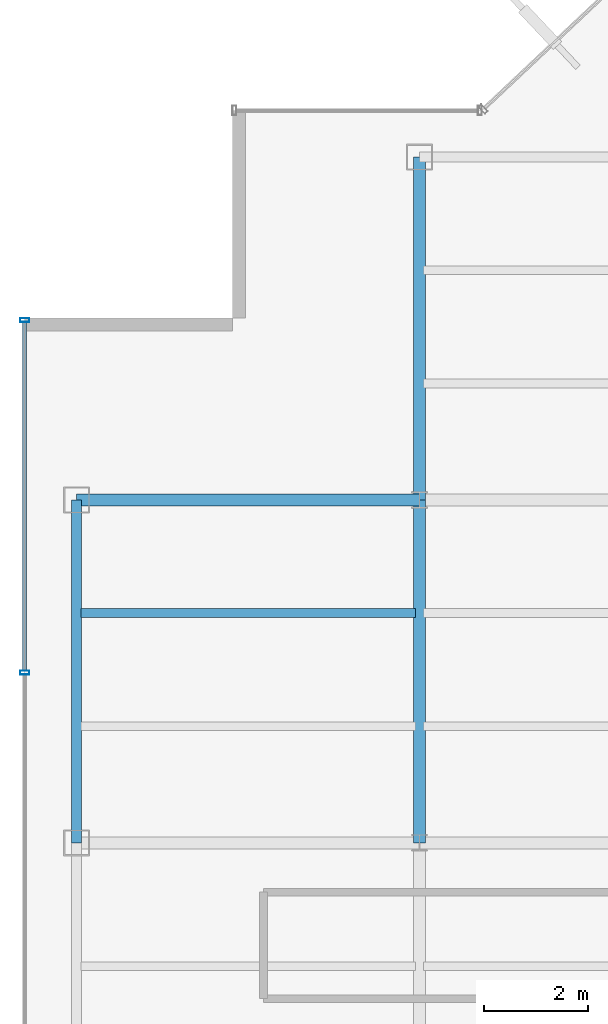
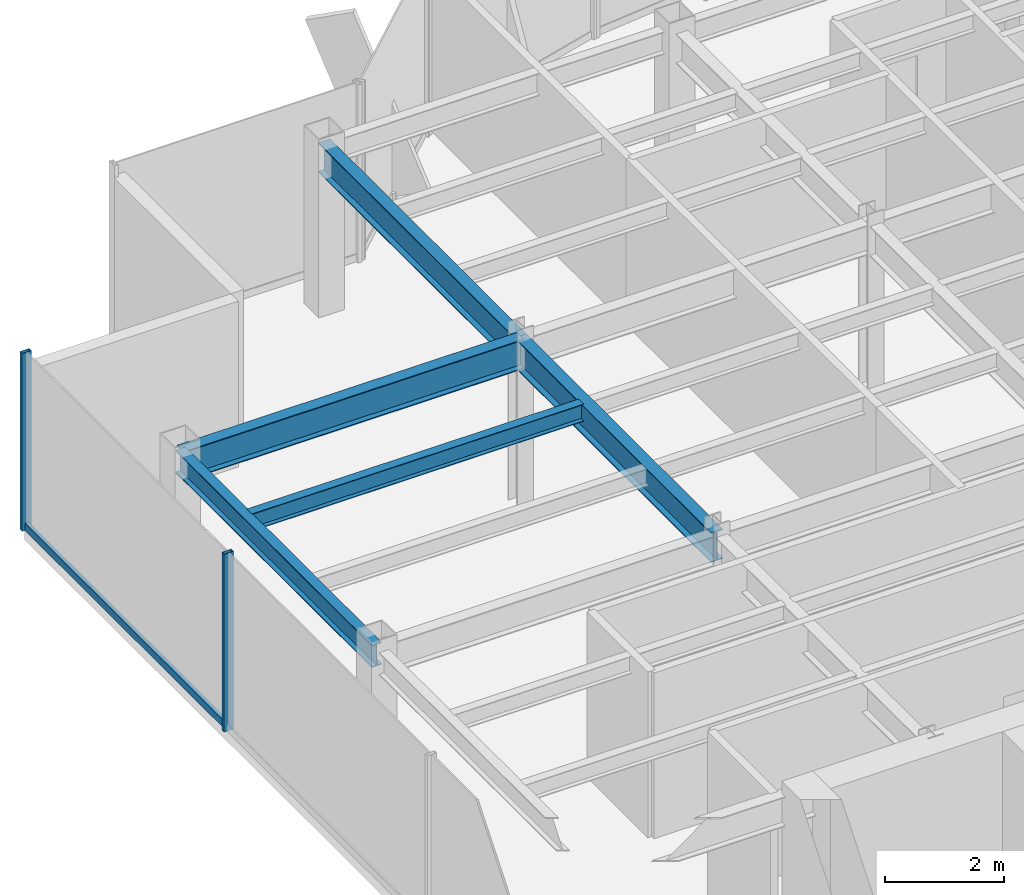
# One storey, part 7 of 22: 5 beams, 3 members, 1 element without a shape of its own.
"""IFC4 building model written with IfcOpenShell, lengths in metres."""

from ifc_helpers import new_model, si_unit, derived_unit, direction, frame, origin, origin_2d, place, context, subcontext, project, spatial, hollow_rectangle, i_section, extrude, source, transform, mapped, material, material_profile, profile_set, type_object, element, aggregate, save


model = new_model("IFC4")

# Units and contexts
model_context = context("Model", 3, precision=1e-05, world=origin(), true_north=direction((0.0, 1.0)))
body_context = subcontext(model_context, "Body", "Model", "MODEL_VIEW")
ifc_project = project(units=[si_unit("LENGTHUNIT", "METRE"), si_unit("AREAUNIT", "SQUARE_METRE"), si_unit("VOLUMEUNIT", "CUBIC_METRE"), si_unit("PLANEANGLEUNIT", "RADIAN"), si_unit("MASSUNIT", "GRAM", prefix="KILO"), derived_unit("THERMALTRANSMITTANCEUNIT", [(si_unit("POWERUNIT", "WATT"), 1), (si_unit("LENGTHUNIT", "METRE"), -2), (si_unit("THERMODYNAMICTEMPERATUREUNIT", "KELVIN"), -1)])], contexts=[model_context])

# Site, building, storey
site_placement = place(None, origin())
site = spatial("IfcSite", under=ifc_project, at=site_placement, CompositionType="ELEMENT")
building_placement = place(site_placement, origin())
building = spatial("IfcBuilding", under=site, at=building_placement, Name="Skarnbrae Concourse Arena and Tower", CompositionType="ELEMENT")
storey_placement = place(building_placement, frame((0.0, 0.0, 228.75)))
storey = spatial("IfcBuildingStorey", under=building, at=storey_placement, Name="L59", CompositionType="ELEMENT", Elevation=228.75)

# Beams
ifc_material_1 = material(Name="Steel CSA G40.21 350W", Category="steel")
ifc_material_profile_1 = material_profile(ifc_material_1, i_section(OverallWidth=0.22802734375, OverallDepth=0.60791015625, WebThickness=0.01123046875, FlangeThickness=0.017333984375, at=origin_2d()), Name="W610X113")
ifc_profile_set_1 = profile_set([ifc_material_profile_1], Name="Steel CSA G40.21 350W")
beam_type_1 = type_object("IfcBeamType", Name="BM-GIRD-W610X113", PredefinedType="BEAM", material=ifc_profile_set_1)
shared_shape_1 = source(origin(), body_context, "Body", "SweptSolid", [
    extrude(i_section(OverallWidth=0.22802734375, OverallDepth=0.60791015625, WebThickness=0.01123046875, FlangeThickness=0.017333984375, at=origin_2d()), origin(), (0.0, 0.0, 1.0), 6.60009765625),
])
for number, where, z_axis, x_axis, name in (
    (1, (1.0, 27.800048828125, 3.095947265625), (1.0, 0.0, 0.0), (0.0, 1.0, 0.0), "L59 Primary E-W girder Y27.8-1"),
    (2, (7.60009765625, 21.199951171875, 3.095947265625), (0.0, 1.0, 0.0), (-1.0, 0.0, 0.0), "L59 Primary N-S girder X7.6-2"),
):
    element("IfcBeam", number, at=place(storey_placement, frame(where, z_axis=z_axis, x_axis=x_axis)), inside=storey, type_object=beam_type_1, Name=name, PredefinedType="BEAM", context=body_context, shape_type="MappedRepresentation", body=[
        mapped(shared_shape_1, transform((0.0, 0.0, 0.0))),
    ])
ifc_material_profile_2 = material_profile(ifc_material_1, i_section(OverallWidth=0.19091796875, OverallDepth=0.4599609375, WebThickness=0.010009765625, FlangeThickness=0.01611328125, at=origin_2d()), Name="W460X82")
ifc_profile_set_2 = profile_set([ifc_material_profile_2], Name="Steel CSA G40.21 350W")
beam_type_2 = type_object("IfcBeamType", Name="BM-SPAN-W460X82", PredefinedType="SPANDREL", material=ifc_profile_set_2)
shared_shape_2 = source(origin(), body_context, "Body", "SweptSolid", [
    extrude(i_section(OverallWidth=0.19091796875, OverallDepth=0.4599609375, WebThickness=0.010009765625, FlangeThickness=0.01611328125, at=origin_2d()), origin(), (0.0, 0.0, 1.0), 6.60009765625),
])
beam_1_placement = place(storey_placement, frame((1.0, 21.199951171875, 3.169921875), z_axis=(0.0, 1.0, 0.0), x_axis=(-1.0, 0.0, 0.0)))
element("IfcBeam", 3, at=beam_1_placement, inside=storey, type_object=beam_type_2, Name="L59 Perimeter spandrel X1.0-3", PredefinedType="SPANDREL", context=body_context, shape_type="MappedRepresentation", body=[
    mapped(shared_shape_2, transform((0.0, 0.0, 0.0))),
])
shared_shape_3 = source(origin(), body_context, "Body", "SweptSolid", [
    extrude(i_section(OverallWidth=0.22802734375, OverallDepth=0.60791015625, WebThickness=0.01123046875, FlangeThickness=0.017333984375, at=origin_2d()), origin(), (0.0, 0.0, 1.0), 6.599853515625),
])
beam_2_placement = place(storey_placement, frame((7.60009765625, 27.800048828125, 3.095947265625), z_axis=(0.0, 1.0, 0.0), x_axis=(-1.0, 0.0, 0.0)))
element("IfcBeam", 4, at=beam_2_placement, inside=storey, type_object=beam_type_1, Name="L59 Primary N-S girder X7.6-3", PredefinedType="BEAM", context=body_context, shape_type="MappedRepresentation", body=[
    mapped(shared_shape_3, transform((0.0, 0.0, 0.0))),
])
ifc_material_profile_3 = material_profile(ifc_material_1, i_section(OverallWidth=0.1708984375, OverallDepth=0.35498046875, WebThickness=0.007080078125, FlangeThickness=0.01171875, at=origin_2d()), Name="W360X51")
ifc_profile_set_3 = profile_set([ifc_material_profile_3], Name="Steel CSA G40.21 350W")
beam_type_3 = type_object("IfcBeamType", Name="BM-JOIST-W360X51", PredefinedType="JOIST", material=ifc_profile_set_3)
shared_shape_4 = source(origin(), body_context, "Body", "SweptSolid", [
    extrude(i_section(OverallWidth=0.1708984375, OverallDepth=0.35498046875, WebThickness=0.007080078125, FlangeThickness=0.01171875, at=origin_2d()), origin(), (0.0, 0.0, 1.0), 6.43994140625),
])
beam_3_placement = place(storey_placement, frame((1.080078125, 25.6220703125, 3.222412109375), z_axis=(1.0, 0.0, 0.0), x_axis=(0.0, 1.0, 0.0)))
element("IfcBeam", 5, at=beam_3_placement, inside=storey, type_object=beam_type_3, Name="L59 Secondary floor joist 2.2.1", PredefinedType="JOIST", context=body_context, shape_type="MappedRepresentation", body=[
    mapped(shared_shape_4, transform((0.0, 0.0, 0.0))),
])

# Curtain wall, members
ifc_material_2 = material(Name="Bronze anodised aluminium 6063-T6", Category="aluminium")
curtain_wall_type = type_object("IfcCurtainWallType", Name="CW-SYS-05-HIGHZONE", PredefinedType="USERDEFINED", material=ifc_material_2)
curtain_wall_placement = place(storey_placement, origin())
curtain_wall = element("IfcCurtainWall", 6, at=curtain_wall_placement, inside=storey, type_object=curtain_wall_type, Name="L59 Unitised curtain wall CW-L59-E18", ObjectType="UNITISED CURTAIN WALL", PredefinedType="USERDEFINED")
ifc_material_profile_4 = material_profile(ifc_material_2, hollow_rectangle(XDim=0.074951171875, YDim=0.179931640625, WallThickness=0.00390625, at=origin_2d()), Name="ALU-MULL-75X180")
ifc_profile_set_4 = profile_set([ifc_material_profile_4], Name="Bronze anodised aluminium 6063-T6")
member_type_1 = type_object("IfcMemberType", Name="CWM-CW-05", PredefinedType="MULLION", material=ifc_profile_set_4)
shared_shape_5 = source(origin(), body_context, "Body", "SweptSolid", [
    extrude(hollow_rectangle(XDim=0.074951171875, YDim=0.179931640625, WallThickness=0.00390625, at=origin_2d()), origin(), (0.0, 0.0, 1.0), 3.64990234375),
])
member_1_placement = place(storey_placement, frame((0.0, 31.262451171875, 0.0), z_axis=(0.0, 0.0, 1.0), x_axis=(0.0, -1.0, 0.0)))
member_1 = element("IfcMember", 7, at=member_1_placement, type_object=member_type_1, Name="CW-L59-E18 Mullion 1", PredefinedType="MULLION", context=body_context, shape_type="MappedRepresentation", body=[
    mapped(shared_shape_5, transform((0.0, 0.0, 0.0))),
])
member_2_placement = place(storey_placement, frame((0.0, 24.47509765625, 0.0), z_axis=(0.0, 0.0, 1.0), x_axis=(0.0, -1.0, 0.0)))
member_2 = element("IfcMember", 8, at=member_2_placement, type_object=member_type_1, Name="CW-L59-E18 Mullion 2", PredefinedType="MULLION", context=body_context, shape_type="MappedRepresentation", body=[
    mapped(shared_shape_5, transform((0.0, 0.0, 0.0))),
])
ifc_material_profile_5 = material_profile(ifc_material_2, hollow_rectangle(XDim=0.074951171875, YDim=0.14990234375, WallThickness=0.00390625, at=origin_2d()), Name="ALU-TRAN-75X150")
ifc_profile_set_5 = profile_set([ifc_material_profile_5], Name="Bronze anodised aluminium 6063-T6")
member_type_2 = type_object("IfcMemberType", Name="CWT-CW-05", PredefinedType="USERDEFINED", material=ifc_profile_set_5)
shared_shape_6 = source(origin(), body_context, "Body", "SweptSolid", [
    extrude(hollow_rectangle(XDim=0.074951171875, YDim=0.14990234375, WallThickness=0.00390625, at=origin_2d()), origin(), (0.0, 0.0, 1.0), 6.712646484375),
])
member_3_placement = place(storey_placement, frame((0.0, 31.22509765625, 0.074951171875), z_axis=(0.0, -1.0, 0.0), x_axis=(1.0, 0.0, 0.0)))
member_3 = element("IfcMember", 9, at=member_3_placement, type_object=member_type_2, Name="CW-L59-E18 Transom 1", ObjectType="TRANSOM", PredefinedType="USERDEFINED", context=body_context, shape_type="MappedRepresentation", body=[
    mapped(shared_shape_6, transform((0.0, 0.0, 0.0))),
])
aggregate(curtain_wall, [member_1, member_2, member_3])

save(model, "model.ifc")
